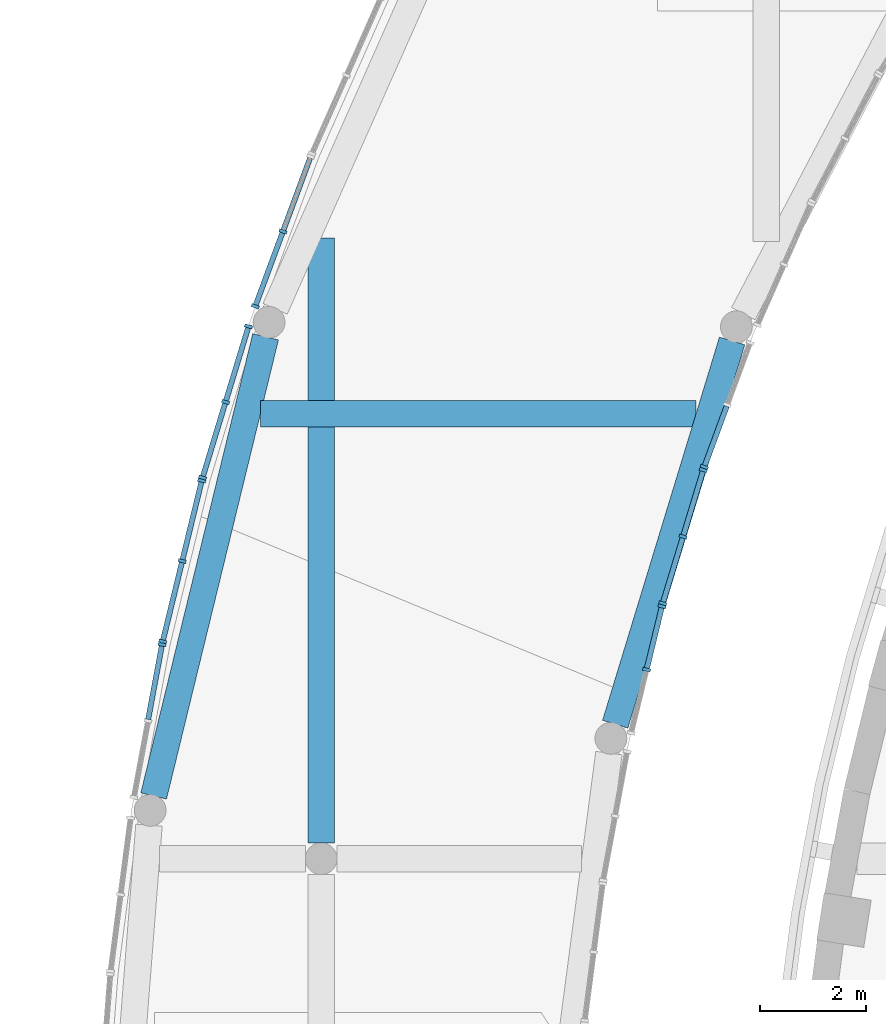
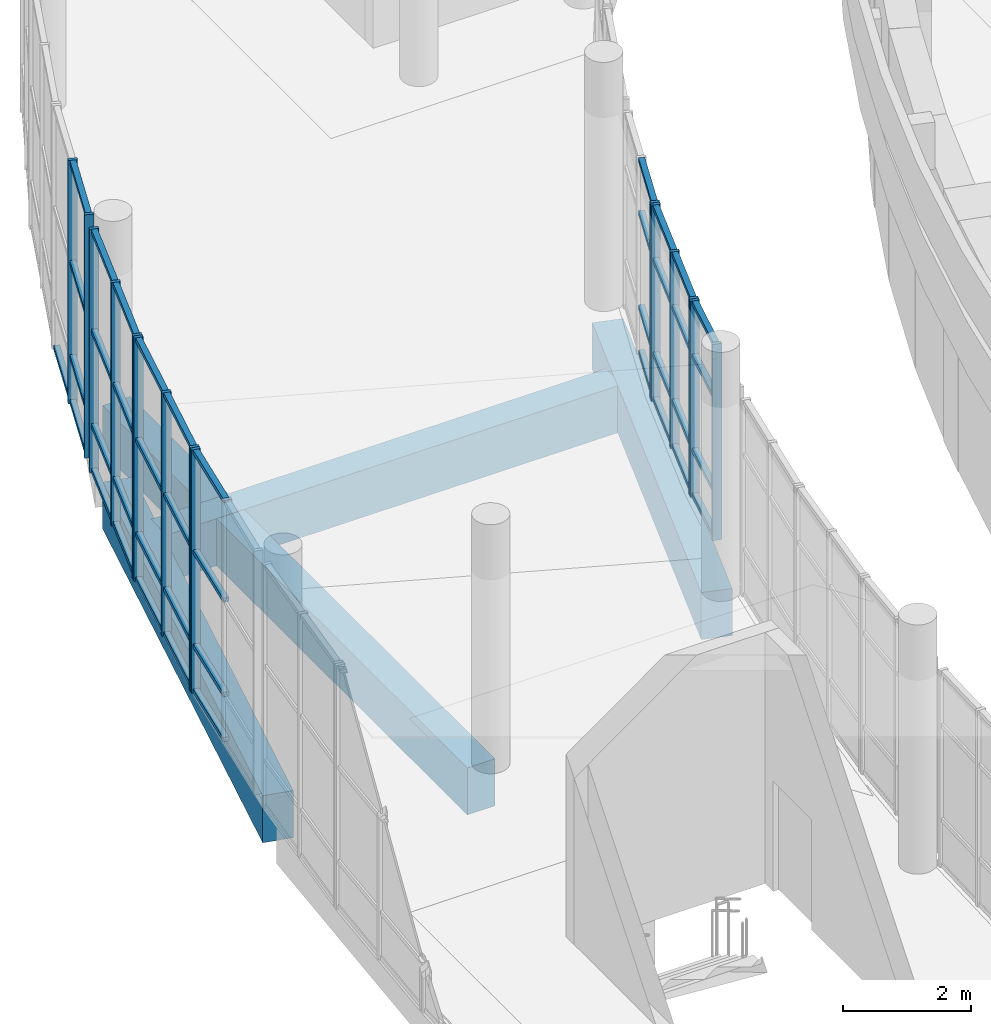
# One storey, part 22 of 119: 56 members, 4 beams, 7 elements without a shape of their own.
"""IFC4 building model written with IfcOpenShell, lengths in metres."""

import ifcopenshell
import ifcopenshell.guid

model = None  # the IFC model being written
_history = None  # IfcOwnerHistory: only IFC2X3 demands one
_inside = {}  # id of a spatial element -> (the spatial element, [elements in it])
_under = {}  # id of a project, library or spatial element -> (it, [spatial elements below it])
_declared = {}  # id of a project -> (the project, [libraries it declares])
_typed = {}  # id of a type object -> (the type object, [elements of that type])
_made_of = {}  # id of a material, layer set ... -> (it, [elements and type objects made of it])


def new_model(schema):
    """Start an empty IFC model of exactly this schema.

    Asked for "IFC4X3", IfcOpenShell would pick the latest addendum, in which some entities
    have other attributes; the version numbers below select the first issue.
    IFC2X3 requires an IfcOwnerHistory on every rooted entity: one is made here for all.
    """
    global model, _history
    if schema == "IFC4X3":
        model = ifcopenshell.file(schema_version=(4, 3, 0, 0))
    else:
        model = ifcopenshell.file(schema=schema)
    _inside.clear()
    _under.clear()
    _declared.clear()
    _typed.clear()
    _made_of.clear()
    _history = None
    if model.schema == "IFC2X3":
        org = make("IfcOrganization", Name="unknown")
        user = make(
            "IfcPersonAndOrganization",
            ThePerson=make("IfcPerson", FamilyName="unknown"),
            TheOrganization=org,
        )
        app = make(
            "IfcApplication",
            ApplicationDeveloper=org,
            Version="unknown",
            ApplicationFullName="unknown",
            ApplicationIdentifier="unknown",
        )
        _history = make(
            "IfcOwnerHistory",
            OwningUser=user,
            OwningApplication=app,
            ChangeAction="ADDED",
            CreationDate=0,
        )
    return model


def make(cls, **values):
    """One entity of the class cls with the attributes given. An attribute that is None is left unset."""
    return model.create_entity(
        cls, **{name: value for name, value in values.items() if value is not None}
    )


def rooted(cls, **values):
    """An entity with a GlobalId (a new one), such as an element, a storey or a relation."""
    return make(cls, GlobalId=ifcopenshell.guid.new(), OwnerHistory=_history, **values)


def si_unit(unit_type, name, prefix=None):
    """IfcSIUnit, for example si_unit("LENGTHUNIT", "METRE", prefix="MILLI")."""
    return make("IfcSIUnit", UnitType=unit_type, Prefix=prefix, Name=name)


def assignment(units):
    """IfcUnitAssignment: the units of a project."""
    return None if units is None else make("IfcUnitAssignment", Units=units)


def point(xyz):
    """IfcCartesianPoint."""
    return None if xyz is None else make("IfcCartesianPoint", Coordinates=xyz)


def direction(xyz):
    """IfcDirection."""
    return None if xyz is None else make("IfcDirection", DirectionRatios=xyz)


def frame(location, z_axis=None, x_axis=None):
    """IfcAxis2Placement3D, a coordinate frame: its origin and axes. An axis left out is left unset."""
    return make(
        "IfcAxis2Placement3D",
        Location=point(location),
        Axis=direction(z_axis),
        RefDirection=direction(x_axis),
    )


def frame_2d(location, x_axis=None):
    """IfcAxis2Placement2D, a coordinate frame in the plane: its origin and x axis."""
    return make(
        "IfcAxis2Placement2D", Location=point(location), RefDirection=direction(x_axis)
    )


def origin():
    """The frame at (0, 0, 0) with its axes left unset."""
    return frame((0.0, 0.0, 0.0))


def origin_2d():
    """The frame at (0, 0) in the plane with its x axis left unset."""
    return frame_2d((0.0, 0.0))


def place(relative_to, where):
    """IfcLocalPlacement: puts the frame where relative to a parent placement (None: the world)."""
    return make(
        "IfcLocalPlacement", PlacementRelTo=relative_to, RelativePlacement=where
    )


def context(
    kind, dimensions, precision=None, world=None, true_north=None, identifier=None
):
    """IfcGeometricRepresentationContext, for example the 3D "Model" context."""
    return make(
        "IfcGeometricRepresentationContext",
        ContextIdentifier=identifier,
        ContextType=kind,
        CoordinateSpaceDimension=dimensions,
        Precision=precision,
        WorldCoordinateSystem=world,
        TrueNorth=true_north,
    )


def subcontext(parent, identifier, kind, view, scale=None):
    """IfcGeometricRepresentationSubContext, for example "Body" below "Model"."""
    return make(
        "IfcGeometricRepresentationSubContext",
        ContextIdentifier=identifier,
        ContextType=kind,
        ParentContext=parent,
        TargetScale=scale,
        TargetView=view,
    )


def project(units=None, contexts=None):
    """IfcProject with its units and contexts."""
    return rooted(
        "IfcProject",
        Name="project",
        RepresentationContexts=contexts,
        UnitsInContext=assignment(units),
    )


def spatial(cls, under=None, at=None, **own):
    """A site, building, storey or space (cls), placed at a placement, below another one or the project."""
    s = rooted(cls, ObjectPlacement=at, **own)
    if under is not None:
        _under.setdefault(under.id(), (under, []))[1].append(s)
    return s


def profile(cls, at=None, kind="AREA", **sizes):
    """A parametric profile (cls). Its sizes go by their IFC names, for example OverallWidth=200.0."""
    return make(cls, ProfileType=kind, Position=at, **sizes)


def rectangle(**sizes):
    """IfcRectangleProfileDef."""
    return profile("IfcRectangleProfileDef", **sizes)


def extrude(swept, where, along, depth):
    """IfcExtrudedAreaSolid: the profile swept, set in the frame where, extruded along a direction by depth."""
    return make(
        "IfcExtrudedAreaSolid",
        SweptArea=swept,
        Position=where,
        ExtrudedDirection=direction(along),
        Depth=depth,
    )


def shape(context_of_items, identifier, shape_type, items):
    """IfcShapeRepresentation: the items that make up one representation, for example the "Body"."""
    return make(
        "IfcShapeRepresentation",
        ContextOfItems=context_of_items,
        RepresentationIdentifier=identifier,
        RepresentationType=shape_type,
        Items=items,
    )


def material(Name=None, Category=None):
    """IfcMaterial."""
    return make("IfcMaterial", Name=Name, Category=Category)


def layer(
    of_material, thickness, ventilated=None, Name=None, Category=None, Priority=None
):
    """IfcMaterialLayer: one layer of a wall or slab, of a material (None: an air gap)."""
    return make(
        "IfcMaterialLayer",
        Material=of_material,
        LayerThickness=thickness,
        IsVentilated=ventilated,
        Name=Name,
        Category=Category,
        Priority=Priority,
    )


def layer_set(layers, Name=None):
    """IfcMaterialLayerSet."""
    return make("IfcMaterialLayerSet", MaterialLayers=layers, LayerSetName=Name)


def material_profile(
    of_material, cross_section, Name=None, Category=None, Priority=None
):
    """IfcMaterialProfile: a cross section and its material."""
    return make(
        "IfcMaterialProfile",
        Name=Name,
        Material=of_material,
        Profile=cross_section,
        Priority=Priority,
        Category=Category,
    )


def profile_set(profiles, Name=None, composite=None):
    """IfcMaterialProfileSet."""
    return make(
        "IfcMaterialProfileSet",
        Name=Name,
        MaterialProfiles=profiles,
        CompositeProfile=composite,
    )


def made_of(thing, what):
    """Note that an element or type object is made of a material, layer set ...; save() writes the relation."""
    if what is not None:
        _made_of.setdefault(what.id(), (what, []))[1].append(thing)
    return thing


def type_object(cls, material=None, **own):
    """A type object (cls), such as IfcWallType, which elements share."""
    return made_of(rooted(cls, **own), material)


def element(
    cls,
    number,
    at=None,
    inside=None,
    cuts=None,
    type_object=None,
    material=None,
    context=None,
    identifier="Body",
    shape_type=None,
    held_by="IfcProductDefinitionShape",
    body=None,
    shapes=None,
    **own,
):
    """One element of the class cls, such as IfcWall. Its Tag is "e" and its number.

    at: its placement. inside: the storey or other place that contains it. cuts: it is an
    opening in that element (IfcRelVoidsElement). A single representation is given by context,
    identifier, shape_type and body (its items); several are given by shapes. held_by: the class
    of the entity that holds the representations. save() writes the other relations.
    """
    e = rooted(cls, Tag="e%d" % number, ObjectPlacement=at, **own)
    if body is not None:
        shapes = [shape(context, identifier, shape_type, body)]
    if shapes is not None:
        e.Representation = make(held_by, Representations=shapes)
    if inside is not None:
        _inside.setdefault(inside.id(), (inside, []))[1].append(e)
    if cuts is not None:
        rooted(
            "IfcRelVoidsElement", RelatingBuildingElement=cuts, RelatedOpeningElement=e
        )
    if type_object is not None:
        _typed.setdefault(type_object.id(), (type_object, []))[1].append(e)
    return made_of(e, material)


def aggregate(whole, parts):
    """IfcRelAggregates: a whole, such as a stair, and the parts it consists of."""
    return rooted("IfcRelAggregates", RelatingObject=whole, RelatedObjects=parts)


def save(model, path):
    """Write the relations noted so far, then the file.

    IfcRelAggregates (storeys below a building ...), IfcRelContainedInSpatialStructure (elements
    in a storey), IfcRelDefinesByType, IfcRelAssociatesMaterial and IfcRelDeclares: one each for
    every whole, place, type object, material and project.
    """
    for whole, parts in _under.values():
        aggregate(whole, parts)
    for where, things in _inside.values():
        rooted(
            "IfcRelContainedInSpatialStructure",
            RelatedElements=things,
            RelatingStructure=where,
        )
    for kind, things in _typed.values():
        rooted("IfcRelDefinesByType", RelatedObjects=things, RelatingType=kind)
    for what, things in _made_of.values():
        rooted("IfcRelAssociatesMaterial", RelatedObjects=things, RelatingMaterial=what)
    for by, libraries in _declared.values():
        rooted("IfcRelDeclares", RelatingContext=by, RelatedDefinitions=libraries)
    model.write(path)


model = new_model("IFC4")

# Units and contexts
model_context = context("Model", 3, precision=1e-05, world=origin(), true_north=direction((0.0, 1.0)))
body_context = subcontext(model_context, "Body", "Model", "MODEL_VIEW")
ifc_project = project(units=[si_unit("LENGTHUNIT", "METRE"), si_unit("AREAUNIT", "SQUARE_METRE"), si_unit("VOLUMEUNIT", "CUBIC_METRE"), si_unit("PLANEANGLEUNIT", "RADIAN"), si_unit("MASSUNIT", "GRAM", prefix="KILO")], contexts=[model_context])

# Site, building, storey
site_placement = place(None, origin())
site = spatial("IfcSite", under=ifc_project, at=site_placement, CompositionType="ELEMENT")
building_placement = place(site_placement, origin())
building = spatial("IfcBuilding", under=site, at=building_placement, Name="Larchfold Concert Hall", CompositionType="ELEMENT")
storey_placement = place(building_placement, frame((0.0, 0.0, 4.800048828125)))
storey = spatial("IfcBuildingStorey", under=building, at=storey_placement, Name="L01", CompositionType="ELEMENT", Elevation=4.800048828125)

# Curtain wall, members
ifc_material_1 = material(Name="Anodised graphite aluminium curtain wall", Category="aluminium")
ifc_layer = layer(ifc_material_1, 0.14990234375)
ifc_layer_set = layer_set([ifc_layer], Name="Anodised graphite aluminium curtain wall")
curtain_wall_type = type_object("IfcCurtainWallType", Name="Curtain wall WG", PredefinedType="NOTDEFINED", material=ifc_layer_set)
curtain_wall_1_placement = place(storey_placement, origin())
curtain_wall_1 = element("IfcCurtainWall", 1, at=curtain_wall_1_placement, inside=storey, type_object=curtain_wall_type, Name="Curtain wall CW0151", PredefinedType="NOTDEFINED")
ifc_material_2 = material(Name="Anodised graphite aluminium mullion", Category="aluminium")
ifc_material_profile_1 = material_profile(ifc_material_2, rectangle(XDim=0.14990234375, YDim=0.06005859375, at=origin_2d()))
ifc_profile_set_1 = profile_set([ifc_material_profile_1], Name="Anodised graphite aluminium mullion")
member_type_1 = type_object("IfcMemberType", Name="Aluminium mullion 60x150", PredefinedType="MULLION", material=ifc_profile_set_1)
member_1_placement = place(storey_placement, frame((15.141845703125, 96.56640625, 0.0), z_axis=(0.0, 0.0, 1.0), x_axis=(-0.971761957722, 0.235963339363, 0.0)))
member_1 = element("IfcMember", 2, at=member_1_placement, type_object=member_type_1, Name="CW0151 mullion 2", PredefinedType="MULLION", context=body_context, shape_type="SweptSolid", body=[
    extrude(rectangle(XDim=0.14990234375, YDim=0.06005859375, at=origin_2d()), origin(), (0.0, 0.0, 1.0), 3.75),
])
member_2_placement = place(storey_placement, frame((15.431884765625, 97.761474609375, 0.0), z_axis=(0.0, 0.0, 1.0), x_axis=(-0.971761957722, 0.235963339363, 0.0)))
member_2 = element("IfcMember", 3, at=member_2_placement, type_object=member_type_1, Name="CW0151 mullion 3", PredefinedType="MULLION", context=body_context, shape_type="SweptSolid", body=[
    extrude(rectangle(XDim=0.14990234375, YDim=0.06005859375, at=origin_2d()), origin(), (0.0, 0.0, 1.0), 3.75),
])

curtain_wall_2_placement = place(storey_placement, origin())
curtain_wall_2 = element("IfcCurtainWall", 4, at=curtain_wall_2_placement, inside=storey, type_object=curtain_wall_type, Name="Curtain wall CW0152", PredefinedType="NOTDEFINED")
member_3_placement = place(storey_placement, frame((15.44775390625, 97.8193359375, 0.0), z_axis=(0.0, 0.0, 1.0), x_axis=(-0.956856236078, 0.290561772224, 0.0)))
member_3 = element("IfcMember", 5, at=member_3_placement, type_object=member_type_1, Name="CW0152 mullion 1", PredefinedType="MULLION", context=body_context, shape_type="SweptSolid", body=[
    extrude(rectangle(XDim=0.14990234375, YDim=0.06005859375, at=origin_2d()), origin(), (0.0, 0.0, 1.0), 3.75),
])
member_4_placement = place(storey_placement, frame((15.82958984375, 99.076904296875, 0.0), z_axis=(0.0, 0.0, 1.0), x_axis=(-0.956856236078, 0.290561772224, 0.0)))
member_4 = element("IfcMember", 6, at=member_4_placement, type_object=member_type_1, Name="CW0152 mullion 2", PredefinedType="MULLION", context=body_context, shape_type="SweptSolid", body=[
    extrude(rectangle(XDim=0.14990234375, YDim=0.06005859375, at=origin_2d()), origin(), (0.0, 0.0, 1.0), 3.75),
])
member_5_placement = place(storey_placement, frame((16.21142578125, 100.33447265625, 0.0), z_axis=(0.0, 0.0, 1.0), x_axis=(-0.956856236078, 0.290561772224, 0.0)))
member_5 = element("IfcMember", 7, at=member_5_placement, type_object=member_type_1, Name="CW0152 mullion 3", PredefinedType="MULLION", context=body_context, shape_type="SweptSolid", body=[
    extrude(rectangle(XDim=0.14990234375, YDim=0.06005859375, at=origin_2d()), origin(), (0.0, 0.0, 1.0), 3.75),
])

# Curtain wall, member
curtain_wall_3_placement = place(storey_placement, origin())
curtain_wall_3 = element("IfcCurtainWall", 8, at=curtain_wall_3_placement, inside=storey, type_object=curtain_wall_type, Name="Curtain wall CW0153", PredefinedType="NOTDEFINED")
member_6_placement = place(storey_placement, frame((16.230712890625, 100.391357421875, 0.0), z_axis=(0.0, 0.0, 1.0), x_axis=(-0.938008664151, 0.346611808768, 0.0)))
member_6 = element("IfcMember", 9, at=member_6_placement, type_object=member_type_1, Name="CW0153 mullion 1", PredefinedType="MULLION", context=body_context, shape_type="SweptSolid", body=[
    extrude(rectangle(XDim=0.14990234375, YDim=0.06005859375, at=origin_2d()), origin(), (0.0, 0.0, 1.0), 3.75),
])

# Curtain wall, members
curtain_wall_4_placement = place(storey_placement, origin())
curtain_wall_4 = element("IfcCurtainWall", 10, at=curtain_wall_4_placement, inside=storey, type_object=curtain_wall_type, Name="Curtain wall CW0189", PredefinedType="NOTDEFINED")
member_7_placement = place(storey_placement, frame((8.2783203125, 104.836181640625, 0.0), z_axis=(0.0, 0.0, 1.0), x_axis=(0.938015834921, -0.346592402451, 0.0)))
member_7 = element("IfcMember", 11, at=member_7_placement, type_object=member_type_1, Name="CW0189 mullion 2", PredefinedType="MULLION", context=body_context, shape_type="SweptSolid", body=[
    extrude(rectangle(XDim=0.14990234375, YDim=0.06005859375, at=origin_2d()), origin(), (0.0, 0.0, 1.0), 4.64990234375),
])
member_8_placement = place(storey_placement, frame((7.756103515625, 103.4228515625, 0.0), z_axis=(0.0, 0.0, 1.0), x_axis=(0.938015834921, -0.346592402451, 0.0)))
member_8 = element("IfcMember", 12, at=member_8_placement, type_object=member_type_1, Name="CW0189 mullion 3", PredefinedType="MULLION", context=body_context, shape_type="SweptSolid", body=[
    extrude(rectangle(XDim=0.14990234375, YDim=0.06005859375, at=origin_2d()), origin(), (0.0, 0.0, 1.0), 4.64990234375),
])

curtain_wall_5_placement = place(storey_placement, origin())
curtain_wall_5 = element("IfcCurtainWall", 13, at=curtain_wall_5_placement, inside=storey, type_object=curtain_wall_type, Name="Curtain wall CW0190", PredefinedType="NOTDEFINED")
member_9_placement = place(storey_placement, frame((7.628662109375, 103.04443359375, 0.0), z_axis=(0.0, 0.0, 1.0), x_axis=(0.956837952364, -0.290621975967, 0.0)))
member_9 = element("IfcMember", 14, at=member_9_placement, type_object=member_type_1, Name="CW0190 mullion 1", PredefinedType="MULLION", context=body_context, shape_type="SweptSolid", body=[
    extrude(rectangle(XDim=0.14990234375, YDim=0.06005859375, at=origin_2d()), origin(), (0.0, 0.0, 1.0), 4.64990234375),
])
member_10_placement = place(storey_placement, frame((7.1953125, 101.61767578125, 0.0), z_axis=(0.0, 0.0, 1.0), x_axis=(0.956837952364, -0.290621975967, 0.0)))
member_10 = element("IfcMember", 15, at=member_10_placement, type_object=member_type_1, Name="CW0190 mullion 2", PredefinedType="MULLION", context=body_context, shape_type="SweptSolid", body=[
    extrude(rectangle(XDim=0.14990234375, YDim=0.06005859375, at=origin_2d()), origin(), (0.0, 0.0, 1.0), 4.64990234375),
])
member_11_placement = place(storey_placement, frame((6.761962890625, 100.190673828125, 0.0), z_axis=(0.0, 0.0, 1.0), x_axis=(0.956837952364, -0.290621975967, 0.0)))
member_11 = element("IfcMember", 16, at=member_11_placement, type_object=member_type_1, Name="CW0190 mullion 3", PredefinedType="MULLION", context=body_context, shape_type="SweptSolid", body=[
    extrude(rectangle(XDim=0.14990234375, YDim=0.06005859375, at=origin_2d()), origin(), (0.0, 0.0, 1.0), 4.64990234375),
])

curtain_wall_6_placement = place(storey_placement, origin())
curtain_wall_6 = element("IfcCurtainWall", 17, at=curtain_wall_6_placement, inside=storey, type_object=curtain_wall_type, Name="Curtain wall CW0191", PredefinedType="NOTDEFINED")
member_12_placement = place(storey_placement, frame((6.74609375, 100.1328125, 0.0), z_axis=(0.0, 0.0, 1.0), x_axis=(0.97176803509, -0.235938309687, 0.0)))
member_12 = element("IfcMember", 18, at=member_12_placement, type_object=member_type_1, Name="CW0191 mullion 1", PredefinedType="MULLION", context=body_context, shape_type="SweptSolid", body=[
    extrude(rectangle(XDim=0.14990234375, YDim=0.06005859375, at=origin_2d()), origin(), (0.0, 0.0, 1.0), 4.64990234375),
])
member_13_placement = place(storey_placement, frame((6.3779296875, 98.616455078125, 0.0), z_axis=(0.0, 0.0, 1.0), x_axis=(0.97176803509, -0.235938309687, 0.0)))
member_13 = element("IfcMember", 19, at=member_13_placement, type_object=member_type_1, Name="CW0191 mullion 2", PredefinedType="MULLION", context=body_context, shape_type="SweptSolid", body=[
    extrude(rectangle(XDim=0.14990234375, YDim=0.06005859375, at=origin_2d()), origin(), (0.0, 0.0, 1.0), 4.64990234375),
])
member_14_placement = place(storey_placement, frame((6.009765625, 97.099853515625, 0.0), z_axis=(0.0, 0.0, 1.0), x_axis=(0.97176803509, -0.235938309687, 0.0)))
member_14 = element("IfcMember", 20, at=member_14_placement, type_object=member_type_1, Name="CW0191 mullion 3", PredefinedType="MULLION", context=body_context, shape_type="SweptSolid", body=[
    extrude(rectangle(XDim=0.14990234375, YDim=0.06005859375, at=origin_2d()), origin(), (0.0, 0.0, 1.0), 4.64990234375),
])

# Curtain wall, member
curtain_wall_7_placement = place(storey_placement, origin())
curtain_wall_7 = element("IfcCurtainWall", 21, at=curtain_wall_7_placement, inside=storey, type_object=curtain_wall_type, Name="Curtain wall CW0192", PredefinedType="NOTDEFINED")
member_15_placement = place(storey_placement, frame((5.997314453125, 97.041259765625, 0.0), z_axis=(0.0, 0.0, 1.0), x_axis=(0.983234339724, -0.182346464695, 0.0)))
member_15 = element("IfcMember", 22, at=member_15_placement, type_object=member_type_1, Name="CW0192 mullion 1", PredefinedType="MULLION", context=body_context, shape_type="SweptSolid", body=[
    extrude(rectangle(XDim=0.14990234375, YDim=0.06005859375, at=origin_2d()), origin(), (0.0, 0.0, 1.0), 4.64990234375),
])

# Member
ifc_material_3 = material(Name="Anodised graphite aluminium transom", Category="aluminium")
ifc_material_profile_2 = material_profile(ifc_material_3, rectangle(XDim=0.10009765625, YDim=0.080078125, at=origin_2d()))
ifc_profile_set_2 = profile_set([ifc_material_profile_2], Name="Anodised graphite aluminium transom")
member_type_2 = type_object("IfcMemberType", Name="Aluminium transom 80x100", PredefinedType="USERDEFINED", material=ifc_profile_set_2)
member_16_placement = place(storey_placement, frame((15.148681640625, 96.595458984375, 0.0400390625), z_axis=(0.236048006379, 0.971741394963, 0.0), x_axis=(-0.971741394963, 0.236048006379, 0.0)))
member_16 = element("IfcMember", 23, at=member_16_placement, type_object=member_type_2, Name="CW0151 transom 2.1", ObjectType="TRANSOM", PredefinedType="USERDEFINED", context=body_context, shape_type="SweptSolid", body=[
    extrude(rectangle(XDim=0.10009765625, YDim=0.080078125, at=origin_2d()), origin(), (0.0, 0.0, 1.0), 1.169677734375),
])

member_17_placement = place(storey_placement, frame((15.148681640625, 96.595458984375, 0.89990234375), z_axis=(0.236048006379, 0.971741394963, 0.0), x_axis=(-0.971741394963, 0.236048006379, 0.0)))
member_17 = element("IfcMember", 24, at=member_17_placement, type_object=member_type_2, Name="CW0151 transom 2.2", ObjectType="TRANSOM", PredefinedType="USERDEFINED", context=body_context, shape_type="SweptSolid", body=[
    extrude(rectangle(XDim=0.10009765625, YDim=0.080078125, at=origin_2d()), origin(), (0.0, 0.0, 1.0), 1.169677734375),
])

member_18_placement = place(storey_placement, frame((15.148681640625, 96.595458984375, 2.699951171875), z_axis=(0.236048006379, 0.971741394963, 0.0), x_axis=(-0.971741394963, 0.236048006379, 0.0)))
member_18 = element("IfcMember", 25, at=member_18_placement, type_object=member_type_2, Name="CW0151 transom 2.3", ObjectType="TRANSOM", PredefinedType="USERDEFINED", context=body_context, shape_type="SweptSolid", body=[
    extrude(rectangle(XDim=0.10009765625, YDim=0.080078125, at=origin_2d()), origin(), (0.0, 0.0, 1.0), 1.169677734375),
])

member_19_placement = place(storey_placement, frame((15.148681640625, 96.595458984375, 3.7099609375), z_axis=(0.236048006379, 0.971741394963, 0.0), x_axis=(-0.971741394963, 0.236048006379, 0.0)))
member_19 = element("IfcMember", 26, at=member_19_placement, type_object=member_type_2, Name="CW0151 transom 2.4", ObjectType="TRANSOM", PredefinedType="USERDEFINED", context=body_context, shape_type="SweptSolid", body=[
    extrude(rectangle(XDim=0.10009765625, YDim=0.080078125, at=origin_2d()), origin(), (0.0, 0.0, 1.0), 1.169677734375),
])

aggregate(curtain_wall_1, [member_1, member_2, member_16, member_17, member_18, member_19])

member_20_placement = place(storey_placement, frame((15.456298828125, 97.847900390625, 0.0400390625), z_axis=(0.29059616867, 0.956845790477, 0.0), x_axis=(-0.956845790477, 0.29059616867, 0.0)))
member_20 = element("IfcMember", 27, at=member_20_placement, type_object=member_type_2, Name="CW0152 transom 1.1", ObjectType="TRANSOM", PredefinedType="USERDEFINED", context=body_context, shape_type="SweptSolid", body=[
    extrude(rectangle(XDim=0.10009765625, YDim=0.080078125, at=origin_2d()), origin(), (0.0, 0.0, 1.0), 1.25439453125),
])

member_21_placement = place(storey_placement, frame((15.456298828125, 97.847900390625, 0.89990234375), z_axis=(0.29059616867, 0.956845790477, 0.0), x_axis=(-0.956845790477, 0.29059616867, 0.0)))
member_21 = element("IfcMember", 28, at=member_21_placement, type_object=member_type_2, Name="CW0152 transom 1.2", ObjectType="TRANSOM", PredefinedType="USERDEFINED", context=body_context, shape_type="SweptSolid", body=[
    extrude(rectangle(XDim=0.10009765625, YDim=0.080078125, at=origin_2d()), origin(), (0.0, 0.0, 1.0), 1.25439453125),
])

member_22_placement = place(storey_placement, frame((15.456298828125, 97.847900390625, 2.699951171875), z_axis=(0.29059616867, 0.956845790477, 0.0), x_axis=(-0.956845790477, 0.29059616867, 0.0)))
member_22 = element("IfcMember", 29, at=member_22_placement, type_object=member_type_2, Name="CW0152 transom 1.3", ObjectType="TRANSOM", PredefinedType="USERDEFINED", context=body_context, shape_type="SweptSolid", body=[
    extrude(rectangle(XDim=0.10009765625, YDim=0.080078125, at=origin_2d()), origin(), (0.0, 0.0, 1.0), 1.25439453125),
])

member_23_placement = place(storey_placement, frame((15.456298828125, 97.847900390625, 3.7099609375), z_axis=(0.29059616867, 0.956845790477, 0.0), x_axis=(-0.956845790477, 0.29059616867, 0.0)))
member_23 = element("IfcMember", 30, at=member_23_placement, type_object=member_type_2, Name="CW0152 transom 1.4", ObjectType="TRANSOM", PredefinedType="USERDEFINED", context=body_context, shape_type="SweptSolid", body=[
    extrude(rectangle(XDim=0.10009765625, YDim=0.080078125, at=origin_2d()), origin(), (0.0, 0.0, 1.0), 1.25439453125),
])

member_24_placement = place(storey_placement, frame((15.83837890625, 99.105712890625, 0.0400390625), z_axis=(0.29059616867, 0.956845790477, 0.0), x_axis=(-0.956845790477, 0.29059616867, 0.0)))
member_24 = element("IfcMember", 31, at=member_24_placement, type_object=member_type_2, Name="CW0152 transom 2.1", ObjectType="TRANSOM", PredefinedType="USERDEFINED", context=body_context, shape_type="SweptSolid", body=[
    extrude(rectangle(XDim=0.10009765625, YDim=0.080078125, at=origin_2d()), origin(), (0.0, 0.0, 1.0), 1.25439453125),
])

member_25_placement = place(storey_placement, frame((15.83837890625, 99.105712890625, 0.89990234375), z_axis=(0.29059616867, 0.956845790477, 0.0), x_axis=(-0.956845790477, 0.29059616867, 0.0)))
member_25 = element("IfcMember", 32, at=member_25_placement, type_object=member_type_2, Name="CW0152 transom 2.2", ObjectType="TRANSOM", PredefinedType="USERDEFINED", context=body_context, shape_type="SweptSolid", body=[
    extrude(rectangle(XDim=0.10009765625, YDim=0.080078125, at=origin_2d()), origin(), (0.0, 0.0, 1.0), 1.25439453125),
])

member_26_placement = place(storey_placement, frame((15.83837890625, 99.105712890625, 2.699951171875), z_axis=(0.29059616867, 0.956845790477, 0.0), x_axis=(-0.956845790477, 0.29059616867, 0.0)))
member_26 = element("IfcMember", 33, at=member_26_placement, type_object=member_type_2, Name="CW0152 transom 2.3", ObjectType="TRANSOM", PredefinedType="USERDEFINED", context=body_context, shape_type="SweptSolid", body=[
    extrude(rectangle(XDim=0.10009765625, YDim=0.080078125, at=origin_2d()), origin(), (0.0, 0.0, 1.0), 1.25439453125),
])

member_27_placement = place(storey_placement, frame((15.83837890625, 99.105712890625, 3.7099609375), z_axis=(0.29059616867, 0.956845790477, 0.0), x_axis=(-0.956845790477, 0.29059616867, 0.0)))
member_27 = element("IfcMember", 34, at=member_27_placement, type_object=member_type_2, Name="CW0152 transom 2.4", ObjectType="TRANSOM", PredefinedType="USERDEFINED", context=body_context, shape_type="SweptSolid", body=[
    extrude(rectangle(XDim=0.10009765625, YDim=0.080078125, at=origin_2d()), origin(), (0.0, 0.0, 1.0), 1.25439453125),
])

aggregate(curtain_wall_2, [member_3, member_4, member_5, member_20, member_21, member_22, member_23, member_24, member_25, member_26, member_27])

member_28_placement = place(storey_placement, frame((16.240966796875, 100.419677734375, 0.0400390625), z_axis=(0.346618720234, 0.938006110206, 0.0), x_axis=(-0.938006110206, 0.346618720234, 0.0)))
member_28 = element("IfcMember", 35, at=member_28_placement, type_object=member_type_2, Name="CW0153 transom 1.1", ObjectType="TRANSOM", PredefinedType="USERDEFINED", context=body_context, shape_type="SweptSolid", body=[
    extrude(rectangle(XDim=0.10009765625, YDim=0.080078125, at=origin_2d()), origin(), (0.0, 0.0, 1.0), 1.18896484375),
])

member_29_placement = place(storey_placement, frame((16.240966796875, 100.419677734375, 0.89990234375), z_axis=(0.346618720234, 0.938006110206, 0.0), x_axis=(-0.938006110206, 0.346618720234, 0.0)))
member_29 = element("IfcMember", 36, at=member_29_placement, type_object=member_type_2, Name="CW0153 transom 1.2", ObjectType="TRANSOM", PredefinedType="USERDEFINED", context=body_context, shape_type="SweptSolid", body=[
    extrude(rectangle(XDim=0.10009765625, YDim=0.080078125, at=origin_2d()), origin(), (0.0, 0.0, 1.0), 1.18896484375),
])

member_30_placement = place(storey_placement, frame((16.240966796875, 100.419677734375, 2.699951171875), z_axis=(0.346618720234, 0.938006110206, 0.0), x_axis=(-0.938006110206, 0.346618720234, 0.0)))
member_30 = element("IfcMember", 37, at=member_30_placement, type_object=member_type_2, Name="CW0153 transom 1.3", ObjectType="TRANSOM", PredefinedType="USERDEFINED", context=body_context, shape_type="SweptSolid", body=[
    extrude(rectangle(XDim=0.10009765625, YDim=0.080078125, at=origin_2d()), origin(), (0.0, 0.0, 1.0), 1.18896484375),
])

member_31_placement = place(storey_placement, frame((16.240966796875, 100.419677734375, 3.7099609375), z_axis=(0.346618720234, 0.938006110206, 0.0), x_axis=(-0.938006110206, 0.346618720234, 0.0)))
member_31 = element("IfcMember", 38, at=member_31_placement, type_object=member_type_2, Name="CW0153 transom 1.4", ObjectType="TRANSOM", PredefinedType="USERDEFINED", context=body_context, shape_type="SweptSolid", body=[
    extrude(rectangle(XDim=0.10009765625, YDim=0.080078125, at=origin_2d()), origin(), (0.0, 0.0, 1.0), 1.18896484375),
])

aggregate(curtain_wall_3, [member_6, member_28, member_29, member_30, member_31])

member_32_placement = place(storey_placement, frame((8.7900390625, 106.22119140625, 0.0400390625), z_axis=(-0.346643684981, -0.937996884676, 0.0), x_axis=(0.937996884676, -0.346643684981, 0.0)))
member_32 = element("IfcMember", 39, at=member_32_placement, type_object=member_type_2, Name="CW0189 transom 1.1", ObjectType="TRANSOM", PredefinedType="USERDEFINED", context=body_context, shape_type="SweptSolid", body=[
    extrude(rectangle(XDim=0.10009765625, YDim=0.080078125, at=origin_2d()), origin(), (0.0, 0.0, 1.0), 1.446533203125),
])

member_33_placement = place(storey_placement, frame((8.267822265625, 104.80810546875, 0.0400390625), z_axis=(-0.346643684981, -0.937996884676, 0.0), x_axis=(0.937996884676, -0.346643684981, 0.0)))
member_33 = element("IfcMember", 40, at=member_33_placement, type_object=member_type_2, Name="CW0189 transom 2.1", ObjectType="TRANSOM", PredefinedType="USERDEFINED", context=body_context, shape_type="SweptSolid", body=[
    extrude(rectangle(XDim=0.10009765625, YDim=0.080078125, at=origin_2d()), origin(), (0.0, 0.0, 1.0), 1.446533203125),
])

member_34_placement = place(storey_placement, frame((8.267822265625, 104.80810546875, 0.89990234375), z_axis=(-0.346643684981, -0.937996884676, 0.0), x_axis=(0.937996884676, -0.346643684981, 0.0)))
member_34 = element("IfcMember", 41, at=member_34_placement, type_object=member_type_2, Name="CW0189 transom 2.2", ObjectType="TRANSOM", PredefinedType="USERDEFINED", context=body_context, shape_type="SweptSolid", body=[
    extrude(rectangle(XDim=0.10009765625, YDim=0.080078125, at=origin_2d()), origin(), (0.0, 0.0, 1.0), 1.446533203125),
])

member_35_placement = place(storey_placement, frame((8.267822265625, 104.80810546875, 2.699951171875), z_axis=(-0.346643684981, -0.937996884676, 0.0), x_axis=(0.937996884676, -0.346643684981, 0.0)))
member_35 = element("IfcMember", 42, at=member_35_placement, type_object=member_type_2, Name="CW0189 transom 2.3", ObjectType="TRANSOM", PredefinedType="USERDEFINED", context=body_context, shape_type="SweptSolid", body=[
    extrude(rectangle(XDim=0.10009765625, YDim=0.080078125, at=origin_2d()), origin(), (0.0, 0.0, 1.0), 1.446533203125),
])

member_36_placement = place(storey_placement, frame((8.267822265625, 104.80810546875, 4.60986328125), z_axis=(-0.346643684981, -0.937996884676, 0.0), x_axis=(0.937996884676, -0.346643684981, 0.0)))
member_36 = element("IfcMember", 43, at=member_36_placement, type_object=member_type_2, Name="CW0189 transom 2.4", ObjectType="TRANSOM", PredefinedType="USERDEFINED", context=body_context, shape_type="SweptSolid", body=[
    extrude(rectangle(XDim=0.10009765625, YDim=0.080078125, at=origin_2d()), origin(), (0.0, 0.0, 1.0), 1.446533203125),
])

aggregate(curtain_wall_4, [member_7, member_8, member_32, member_33, member_34, member_35, member_36])

member_37_placement = place(storey_placement, frame((7.6201171875, 103.015869140625, 0.0400390625), z_axis=(-0.29063218975, -0.956834850056, 0.0), x_axis=(0.956834850056, -0.29063218975, 0.0)))
member_37 = element("IfcMember", 44, at=member_37_placement, type_object=member_type_2, Name="CW0190 transom 1.1", ObjectType="TRANSOM", PredefinedType="USERDEFINED", context=body_context, shape_type="SweptSolid", body=[
    extrude(rectangle(XDim=0.10009765625, YDim=0.080078125, at=origin_2d()), origin(), (0.0, 0.0, 1.0), 1.431396484375),
])

member_38_placement = place(storey_placement, frame((7.6201171875, 103.015869140625, 0.89990234375), z_axis=(-0.29063218975, -0.956834850056, 0.0), x_axis=(0.956834850056, -0.29063218975, 0.0)))
member_38 = element("IfcMember", 45, at=member_38_placement, type_object=member_type_2, Name="CW0190 transom 1.2", ObjectType="TRANSOM", PredefinedType="USERDEFINED", context=body_context, shape_type="SweptSolid", body=[
    extrude(rectangle(XDim=0.10009765625, YDim=0.080078125, at=origin_2d()), origin(), (0.0, 0.0, 1.0), 1.431396484375),
])

member_39_placement = place(storey_placement, frame((7.6201171875, 103.015869140625, 2.699951171875), z_axis=(-0.29063218975, -0.956834850056, 0.0), x_axis=(0.956834850056, -0.29063218975, 0.0)))
member_39 = element("IfcMember", 46, at=member_39_placement, type_object=member_type_2, Name="CW0190 transom 1.3", ObjectType="TRANSOM", PredefinedType="USERDEFINED", context=body_context, shape_type="SweptSolid", body=[
    extrude(rectangle(XDim=0.10009765625, YDim=0.080078125, at=origin_2d()), origin(), (0.0, 0.0, 1.0), 1.431396484375),
])

member_40_placement = place(storey_placement, frame((7.6201171875, 103.015869140625, 4.60986328125), z_axis=(-0.29063218975, -0.956834850056, 0.0), x_axis=(0.956834850056, -0.29063218975, 0.0)))
member_40 = element("IfcMember", 47, at=member_40_placement, type_object=member_type_2, Name="CW0190 transom 1.4", ObjectType="TRANSOM", PredefinedType="USERDEFINED", context=body_context, shape_type="SweptSolid", body=[
    extrude(rectangle(XDim=0.10009765625, YDim=0.080078125, at=origin_2d()), origin(), (0.0, 0.0, 1.0), 1.431396484375),
])

member_41_placement = place(storey_placement, frame((7.1865234375, 101.5888671875, 0.0400390625), z_axis=(-0.29063218975, -0.956834850056, 0.0), x_axis=(0.956834850056, -0.29063218975, 0.0)))
member_41 = element("IfcMember", 48, at=member_41_placement, type_object=member_type_2, Name="CW0190 transom 2.1", ObjectType="TRANSOM", PredefinedType="USERDEFINED", context=body_context, shape_type="SweptSolid", body=[
    extrude(rectangle(XDim=0.10009765625, YDim=0.080078125, at=origin_2d()), origin(), (0.0, 0.0, 1.0), 1.431396484375),
])

member_42_placement = place(storey_placement, frame((7.1865234375, 101.5888671875, 0.89990234375), z_axis=(-0.29063218975, -0.956834850056, 0.0), x_axis=(0.956834850056, -0.29063218975, 0.0)))
member_42 = element("IfcMember", 49, at=member_42_placement, type_object=member_type_2, Name="CW0190 transom 2.2", ObjectType="TRANSOM", PredefinedType="USERDEFINED", context=body_context, shape_type="SweptSolid", body=[
    extrude(rectangle(XDim=0.10009765625, YDim=0.080078125, at=origin_2d()), origin(), (0.0, 0.0, 1.0), 1.431396484375),
])

member_43_placement = place(storey_placement, frame((7.1865234375, 101.5888671875, 2.699951171875), z_axis=(-0.29063218975, -0.956834850056, 0.0), x_axis=(0.956834850056, -0.29063218975, 0.0)))
member_43 = element("IfcMember", 50, at=member_43_placement, type_object=member_type_2, Name="CW0190 transom 2.3", ObjectType="TRANSOM", PredefinedType="USERDEFINED", context=body_context, shape_type="SweptSolid", body=[
    extrude(rectangle(XDim=0.10009765625, YDim=0.080078125, at=origin_2d()), origin(), (0.0, 0.0, 1.0), 1.431396484375),
])

member_44_placement = place(storey_placement, frame((7.1865234375, 101.5888671875, 4.60986328125), z_axis=(-0.29063218975, -0.956834850056, 0.0), x_axis=(0.956834850056, -0.29063218975, 0.0)))
member_44 = element("IfcMember", 51, at=member_44_placement, type_object=member_type_2, Name="CW0190 transom 2.4", ObjectType="TRANSOM", PredefinedType="USERDEFINED", context=body_context, shape_type="SweptSolid", body=[
    extrude(rectangle(XDim=0.10009765625, YDim=0.080078125, at=origin_2d()), origin(), (0.0, 0.0, 1.0), 1.431396484375),
])

aggregate(curtain_wall_5, [member_9, member_10, member_11, member_37, member_38, member_39, member_40, member_41, member_42, member_43, member_44])

member_45_placement = place(storey_placement, frame((6.739013671875, 100.103515625, 0.0400390625), z_axis=(-0.235944645089, -0.971766496878, 0.0), x_axis=(0.971766496878, -0.235944645089, 0.0)))
member_45 = element("IfcMember", 52, at=member_45_placement, type_object=member_type_2, Name="CW0191 transom 1.1", ObjectType="TRANSOM", PredefinedType="USERDEFINED", context=body_context, shape_type="SweptSolid", body=[
    extrude(rectangle(XDim=0.10009765625, YDim=0.080078125, at=origin_2d()), origin(), (0.0, 0.0, 1.0), 1.50048828125),
])

member_46_placement = place(storey_placement, frame((6.739013671875, 100.103515625, 0.89990234375), z_axis=(-0.235944645089, -0.971766496878, 0.0), x_axis=(0.971766496878, -0.235944645089, 0.0)))
member_46 = element("IfcMember", 53, at=member_46_placement, type_object=member_type_2, Name="CW0191 transom 1.2", ObjectType="TRANSOM", PredefinedType="USERDEFINED", context=body_context, shape_type="SweptSolid", body=[
    extrude(rectangle(XDim=0.10009765625, YDim=0.080078125, at=origin_2d()), origin(), (0.0, 0.0, 1.0), 1.50048828125),
])

member_47_placement = place(storey_placement, frame((6.739013671875, 100.103515625, 2.699951171875), z_axis=(-0.235944645089, -0.971766496878, 0.0), x_axis=(0.971766496878, -0.235944645089, 0.0)))
member_47 = element("IfcMember", 54, at=member_47_placement, type_object=member_type_2, Name="CW0191 transom 1.3", ObjectType="TRANSOM", PredefinedType="USERDEFINED", context=body_context, shape_type="SweptSolid", body=[
    extrude(rectangle(XDim=0.10009765625, YDim=0.080078125, at=origin_2d()), origin(), (0.0, 0.0, 1.0), 1.50048828125),
])

member_48_placement = place(storey_placement, frame((6.739013671875, 100.103515625, 4.60986328125), z_axis=(-0.235944645089, -0.971766496878, 0.0), x_axis=(0.971766496878, -0.235944645089, 0.0)))
member_48 = element("IfcMember", 55, at=member_48_placement, type_object=member_type_2, Name="CW0191 transom 1.4", ObjectType="TRANSOM", PredefinedType="USERDEFINED", context=body_context, shape_type="SweptSolid", body=[
    extrude(rectangle(XDim=0.10009765625, YDim=0.080078125, at=origin_2d()), origin(), (0.0, 0.0, 1.0), 1.50048828125),
])

member_49_placement = place(storey_placement, frame((6.370849609375, 98.587158203125, 0.0400390625), z_axis=(-0.235944645089, -0.971766496878, 0.0), x_axis=(0.971766496878, -0.235944645089, 0.0)))
member_49 = element("IfcMember", 56, at=member_49_placement, type_object=member_type_2, Name="CW0191 transom 2.1", ObjectType="TRANSOM", PredefinedType="USERDEFINED", context=body_context, shape_type="SweptSolid", body=[
    extrude(rectangle(XDim=0.10009765625, YDim=0.080078125, at=origin_2d()), origin(), (0.0, 0.0, 1.0), 1.50048828125),
])

member_50_placement = place(storey_placement, frame((6.370849609375, 98.587158203125, 0.89990234375), z_axis=(-0.235944645089, -0.971766496878, 0.0), x_axis=(0.971766496878, -0.235944645089, 0.0)))
member_50 = element("IfcMember", 57, at=member_50_placement, type_object=member_type_2, Name="CW0191 transom 2.2", ObjectType="TRANSOM", PredefinedType="USERDEFINED", context=body_context, shape_type="SweptSolid", body=[
    extrude(rectangle(XDim=0.10009765625, YDim=0.080078125, at=origin_2d()), origin(), (0.0, 0.0, 1.0), 1.50048828125),
])

member_51_placement = place(storey_placement, frame((6.370849609375, 98.587158203125, 2.699951171875), z_axis=(-0.235944645089, -0.971766496878, 0.0), x_axis=(0.971766496878, -0.235944645089, 0.0)))
member_51 = element("IfcMember", 58, at=member_51_placement, type_object=member_type_2, Name="CW0191 transom 2.3", ObjectType="TRANSOM", PredefinedType="USERDEFINED", context=body_context, shape_type="SweptSolid", body=[
    extrude(rectangle(XDim=0.10009765625, YDim=0.080078125, at=origin_2d()), origin(), (0.0, 0.0, 1.0), 1.50048828125),
])

member_52_placement = place(storey_placement, frame((6.370849609375, 98.587158203125, 4.60986328125), z_axis=(-0.235944645089, -0.971766496878, 0.0), x_axis=(0.971766496878, -0.235944645089, 0.0)))
member_52 = element("IfcMember", 59, at=member_52_placement, type_object=member_type_2, Name="CW0191 transom 2.4", ObjectType="TRANSOM", PredefinedType="USERDEFINED", context=body_context, shape_type="SweptSolid", body=[
    extrude(rectangle(XDim=0.10009765625, YDim=0.080078125, at=origin_2d()), origin(), (0.0, 0.0, 1.0), 1.50048828125),
])

aggregate(curtain_wall_6, [member_12, member_13, member_14, member_45, member_46, member_47, member_48, member_49, member_50, member_51, member_52])

member_53_placement = place(storey_placement, frame((5.99169921875, 97.01171875, 0.0400390625), z_axis=(-0.182400278452, -0.98322435813, 0.0), x_axis=(0.98322435813, -0.182400278452, 0.0)))
member_53 = element("IfcMember", 60, at=member_53_placement, type_object=member_type_2, Name="CW0192 transom 1.1", ObjectType="TRANSOM", PredefinedType="USERDEFINED", context=body_context, shape_type="SweptSolid", body=[
    extrude(rectangle(XDim=0.10009765625, YDim=0.080078125, at=origin_2d()), origin(), (0.0, 0.0, 1.0), 1.405517578125),
])

member_54_placement = place(storey_placement, frame((5.99169921875, 97.01171875, 0.89990234375), z_axis=(-0.182400278452, -0.98322435813, 0.0), x_axis=(0.98322435813, -0.182400278452, 0.0)))
member_54 = element("IfcMember", 61, at=member_54_placement, type_object=member_type_2, Name="CW0192 transom 1.2", ObjectType="TRANSOM", PredefinedType="USERDEFINED", context=body_context, shape_type="SweptSolid", body=[
    extrude(rectangle(XDim=0.10009765625, YDim=0.080078125, at=origin_2d()), origin(), (0.0, 0.0, 1.0), 1.405517578125),
])

member_55_placement = place(storey_placement, frame((5.99169921875, 97.01171875, 2.699951171875), z_axis=(-0.182400278452, -0.98322435813, 0.0), x_axis=(0.98322435813, -0.182400278452, 0.0)))
member_55 = element("IfcMember", 62, at=member_55_placement, type_object=member_type_2, Name="CW0192 transom 1.3", ObjectType="TRANSOM", PredefinedType="USERDEFINED", context=body_context, shape_type="SweptSolid", body=[
    extrude(rectangle(XDim=0.10009765625, YDim=0.080078125, at=origin_2d()), origin(), (0.0, 0.0, 1.0), 1.405517578125),
])

member_56_placement = place(storey_placement, frame((5.99169921875, 97.01171875, 4.60986328125), z_axis=(-0.182400278452, -0.98322435813, 0.0), x_axis=(0.98322435813, -0.182400278452, 0.0)))
member_56 = element("IfcMember", 63, at=member_56_placement, type_object=member_type_2, Name="CW0192 transom 1.4", ObjectType="TRANSOM", PredefinedType="USERDEFINED", context=body_context, shape_type="SweptSolid", body=[
    extrude(rectangle(XDim=0.10009765625, YDim=0.080078125, at=origin_2d()), origin(), (0.0, 0.0, 1.0), 1.405517578125),
])

aggregate(curtain_wall_7, [member_15, member_53, member_54, member_55, member_56])

# Beams
ifc_material_4 = material(Name="Concrete C35/45", Category="concrete")
ifc_material_profile_3 = material_profile(ifc_material_4, rectangle(XDim=0.5, YDim=0.89990234375, at=origin_2d()))
ifc_profile_set_3 = profile_set([ifc_material_profile_3], Name="Concrete C35/45")
beam_type = type_object("IfcBeamType", Name="Beam RC 500x900", PredefinedType="BEAM", material=ifc_profile_set_3)
beam_1_placement = place(storey_placement, frame((5.83935546875, 94.18310546875, -0.60009765625), z_axis=(0.236818812813, 0.971553832733, 0.0), x_axis=(-0.971553832733, 0.236818812813, 0.0)))
element("IfcBeam", 64, at=beam_1_placement, inside=storey, type_object=beam_type, Name="Beam B1873", PredefinedType="BEAM", context=body_context, shape_type="SweptSolid", body=[
    extrude(rectangle(XDim=0.5, YDim=0.89990234375, at=origin_2d()), origin(), (0.0, 0.0, 1.0), 8.91943359375),
])
beam_2_placement = place(storey_placement, frame((16.75439453125, 102.770263671875, -0.60009765625), z_axis=(-0.291723032329, -0.956502834501, 0.0), x_axis=(0.956502834501, -0.291723032329, 0.0)))
element("IfcBeam", 65, at=beam_2_placement, inside=storey, type_object=beam_type, Name="Beam B1886", PredefinedType="BEAM", context=body_context, shape_type="SweptSolid", body=[
    extrude(rectangle(XDim=0.5, YDim=0.89990234375, at=origin_2d()), origin(), (0.0, 0.0, 1.0), 7.561279296875),
])
beam_3_placement = place(storey_placement, frame((9.0, 93.298828125, -0.60009765625), z_axis=(0.0, 1.0, 0.0), x_axis=(-1.0, 0.0, 0.0)))
element("IfcBeam", 66, at=beam_3_placement, inside=storey, type_object=beam_type, Name="Beam B1895", PredefinedType="BEAM", context=body_context, shape_type="SweptSolid", body=[
    extrude(rectangle(XDim=0.5, YDim=0.89990234375, at=origin_2d()), origin(), (0.0, 0.0, 1.0), 11.418212890625),
])
beam_4_placement = place(storey_placement, frame((7.855712890625, 101.39990234375, -0.60009765625), z_axis=(1.0, 0.0, 0.0), x_axis=(0.0, 1.0, 0.0)))
element("IfcBeam", 67, at=beam_4_placement, inside=storey, type_object=beam_type, Name="Beam B1926", PredefinedType="BEAM", context=body_context, shape_type="SweptSolid", body=[
    extrude(rectangle(XDim=0.5, YDim=0.89990234375, at=origin_2d()), origin(), (0.0, 0.0, 1.0), 8.219482421875),
])

save(model, "model.ifc")
